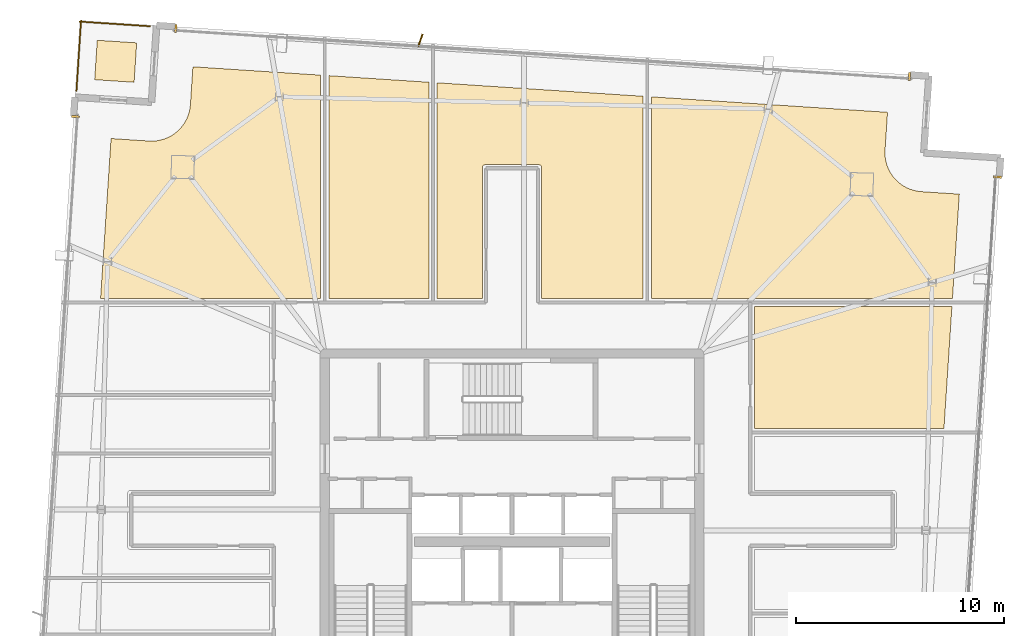
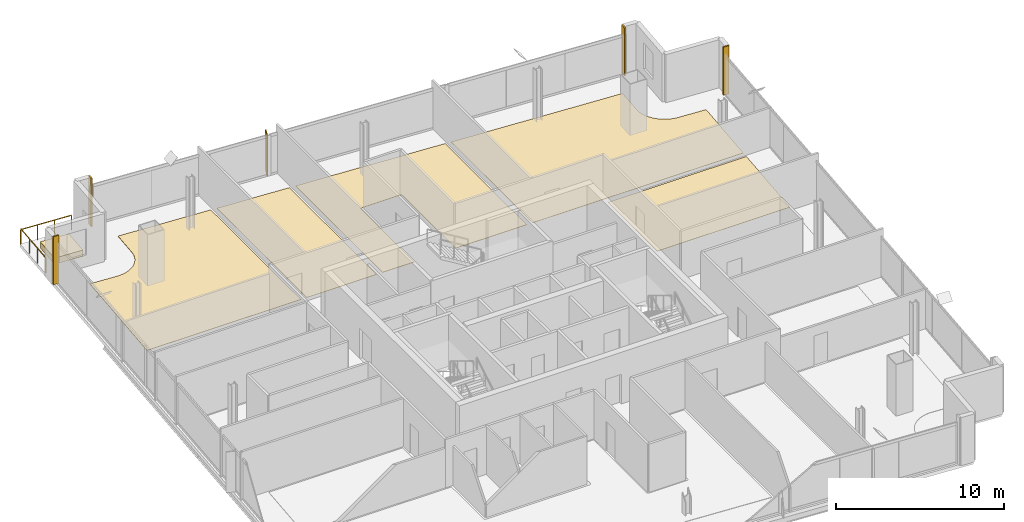
# One storey, part 24 of 24: 10 coverings, 2 railings, 1 shading device.
"""IFC4 building model written with IfcOpenShell, lengths in metres."""

import ifcopenshell
import ifcopenshell.guid

model = None  # the IFC model being written
_history = None  # IfcOwnerHistory: only IFC2X3 demands one
_inside = {}  # id of a spatial element -> (the spatial element, [elements in it])
_under = {}  # id of a project, library or spatial element -> (it, [spatial elements below it])
_declared = {}  # id of a project -> (the project, [libraries it declares])
_typed = {}  # id of a type object -> (the type object, [elements of that type])
_made_of = {}  # id of a material, layer set ... -> (it, [elements and type objects made of it])


def new_model(schema):
    """Start an empty IFC model of exactly this schema.

    Asked for "IFC4X3", IfcOpenShell would pick the latest addendum, in which some entities
    have other attributes; the version numbers below select the first issue.
    IFC2X3 requires an IfcOwnerHistory on every rooted entity: one is made here for all.
    """
    global model, _history
    if schema == "IFC4X3":
        model = ifcopenshell.file(schema_version=(4, 3, 0, 0))
    else:
        model = ifcopenshell.file(schema=schema)
    _inside.clear()
    _under.clear()
    _declared.clear()
    _typed.clear()
    _made_of.clear()
    _history = None
    if model.schema == "IFC2X3":
        org = make("IfcOrganization", Name="unknown")
        user = make(
            "IfcPersonAndOrganization",
            ThePerson=make("IfcPerson", FamilyName="unknown"),
            TheOrganization=org,
        )
        app = make(
            "IfcApplication",
            ApplicationDeveloper=org,
            Version="unknown",
            ApplicationFullName="unknown",
            ApplicationIdentifier="unknown",
        )
        _history = make(
            "IfcOwnerHistory",
            OwningUser=user,
            OwningApplication=app,
            ChangeAction="ADDED",
            CreationDate=0,
        )
    return model


def make(cls, **values):
    """One entity of the class cls with the attributes given. An attribute that is None is left unset."""
    return model.create_entity(
        cls, **{name: value for name, value in values.items() if value is not None}
    )


def rooted(cls, **values):
    """An entity with a GlobalId (a new one), such as an element, a storey or a relation."""
    return make(cls, GlobalId=ifcopenshell.guid.new(), OwnerHistory=_history, **values)


def si_unit(unit_type, name, prefix=None):
    """IfcSIUnit, for example si_unit("LENGTHUNIT", "METRE", prefix="MILLI")."""
    return make("IfcSIUnit", UnitType=unit_type, Prefix=prefix, Name=name)


def assignment(units):
    """IfcUnitAssignment: the units of a project."""
    return None if units is None else make("IfcUnitAssignment", Units=units)


def point(xyz):
    """IfcCartesianPoint."""
    return None if xyz is None else make("IfcCartesianPoint", Coordinates=xyz)


def direction(xyz):
    """IfcDirection."""
    return None if xyz is None else make("IfcDirection", DirectionRatios=xyz)


def frame(location, z_axis=None, x_axis=None):
    """IfcAxis2Placement3D, a coordinate frame: its origin and axes. An axis left out is left unset."""
    return make(
        "IfcAxis2Placement3D",
        Location=point(location),
        Axis=direction(z_axis),
        RefDirection=direction(x_axis),
    )


def frame_2d(location, x_axis=None):
    """IfcAxis2Placement2D, a coordinate frame in the plane: its origin and x axis."""
    return make(
        "IfcAxis2Placement2D", Location=point(location), RefDirection=direction(x_axis)
    )


def origin():
    """The frame at (0, 0, 0) with its axes left unset."""
    return frame((0.0, 0.0, 0.0))


def origin_2d():
    """The frame at (0, 0) in the plane with its x axis left unset."""
    return frame_2d((0.0, 0.0))


def place(relative_to, where):
    """IfcLocalPlacement: puts the frame where relative to a parent placement (None: the world)."""
    return make(
        "IfcLocalPlacement", PlacementRelTo=relative_to, RelativePlacement=where
    )


def context(
    kind, dimensions, precision=None, world=None, true_north=None, identifier=None
):
    """IfcGeometricRepresentationContext, for example the 3D "Model" context."""
    return make(
        "IfcGeometricRepresentationContext",
        ContextIdentifier=identifier,
        ContextType=kind,
        CoordinateSpaceDimension=dimensions,
        Precision=precision,
        WorldCoordinateSystem=world,
        TrueNorth=true_north,
    )


def subcontext(parent, identifier, kind, view, scale=None):
    """IfcGeometricRepresentationSubContext, for example "Body" below "Model"."""
    return make(
        "IfcGeometricRepresentationSubContext",
        ContextIdentifier=identifier,
        ContextType=kind,
        ParentContext=parent,
        TargetScale=scale,
        TargetView=view,
    )


def project(units=None, contexts=None):
    """IfcProject with its units and contexts."""
    return rooted(
        "IfcProject",
        Name="project",
        RepresentationContexts=contexts,
        UnitsInContext=assignment(units),
    )


def spatial(cls, under=None, at=None, **own):
    """A site, building, storey or space (cls), placed at a placement, below another one or the project."""
    s = rooted(cls, ObjectPlacement=at, **own)
    if under is not None:
        _under.setdefault(under.id(), (under, []))[1].append(s)
    return s


def polyline(points):
    """IfcPolyline through the points."""
    return make("IfcPolyline", Points=[point(p) for p in points])


def profile(cls, at=None, kind="AREA", **sizes):
    """A parametric profile (cls). Its sizes go by their IFC names, for example OverallWidth=200.0."""
    return make(cls, ProfileType=kind, Position=at, **sizes)


def rectangle(**sizes):
    """IfcRectangleProfileDef."""
    return profile("IfcRectangleProfileDef", **sizes)


def outline(outer, holes=None, kind="AREA"):
    """IfcArbitraryClosedProfileDef: a profile drawn as a closed curve; with holes, ...WithVoids."""
    if holes is None:
        return make("IfcArbitraryClosedProfileDef", ProfileType=kind, OuterCurve=outer)
    return make(
        "IfcArbitraryProfileDefWithVoids",
        ProfileType=kind,
        OuterCurve=outer,
        InnerCurves=holes,
    )


def extrude(swept, where, along, depth):
    """IfcExtrudedAreaSolid: the profile swept, set in the frame where, extruded along a direction by depth."""
    return make(
        "IfcExtrudedAreaSolid",
        SweptArea=swept,
        Position=where,
        ExtrudedDirection=direction(along),
        Depth=depth,
    )


def shape(context_of_items, identifier, shape_type, items):
    """IfcShapeRepresentation: the items that make up one representation, for example the "Body"."""
    return make(
        "IfcShapeRepresentation",
        ContextOfItems=context_of_items,
        RepresentationIdentifier=identifier,
        RepresentationType=shape_type,
        Items=items,
    )


def source(mapping_origin, context_of_items, identifier, shape_type, items):
    """IfcRepresentationMap: a shape defined once, which mapped items show again and again."""
    return make(
        "IfcRepresentationMap",
        MappingOrigin=mapping_origin,
        MappedRepresentation=shape(context_of_items, identifier, shape_type, items),
    )


def transform(
    local_origin,
    x_axis=None,
    y_axis=None,
    z_axis=None,
    scale=None,
    scale2=None,
    scale3=None,
    uniform=True,
):
    """IfcCartesianTransformationOperator3D, or its non-uniform kind. x_axis, y_axis, z_axis: its Axis1, 2, 3."""
    if uniform:
        return make(
            "IfcCartesianTransformationOperator3D",
            Axis1=direction(x_axis),
            Axis2=direction(y_axis),
            LocalOrigin=point(local_origin),
            Scale=scale,
            Axis3=direction(z_axis),
        )
    return make(
        "IfcCartesianTransformationOperator3DnonUniform",
        Axis1=direction(x_axis),
        Axis2=direction(y_axis),
        LocalOrigin=point(local_origin),
        Scale=scale,
        Axis3=direction(z_axis),
        Scale2=scale2,
        Scale3=scale3,
    )


def mapped(mapping_source, mapping_target):
    """IfcMappedItem: shows the shape of a source again, moved by a transform."""
    return make(
        "IfcMappedItem", MappingSource=mapping_source, MappingTarget=mapping_target
    )


def material(Name=None, Category=None):
    """IfcMaterial."""
    return make("IfcMaterial", Name=Name, Category=Category)


def layer(
    of_material, thickness, ventilated=None, Name=None, Category=None, Priority=None
):
    """IfcMaterialLayer: one layer of a wall or slab, of a material (None: an air gap)."""
    return make(
        "IfcMaterialLayer",
        Material=of_material,
        LayerThickness=thickness,
        IsVentilated=ventilated,
        Name=Name,
        Category=Category,
        Priority=Priority,
    )


def layer_set(layers, Name=None):
    """IfcMaterialLayerSet."""
    return make("IfcMaterialLayerSet", MaterialLayers=layers, LayerSetName=Name)


def made_of(thing, what):
    """Note that an element or type object is made of a material, layer set ...; save() writes the relation."""
    if what is not None:
        _made_of.setdefault(what.id(), (what, []))[1].append(thing)
    return thing


def type_object(cls, material=None, **own):
    """A type object (cls), such as IfcWallType, which elements share."""
    return made_of(rooted(cls, **own), material)


def element(
    cls,
    number,
    at=None,
    inside=None,
    cuts=None,
    type_object=None,
    material=None,
    context=None,
    identifier="Body",
    shape_type=None,
    held_by="IfcProductDefinitionShape",
    body=None,
    shapes=None,
    **own,
):
    """One element of the class cls, such as IfcWall. Its Tag is "e" and its number.

    at: its placement. inside: the storey or other place that contains it. cuts: it is an
    opening in that element (IfcRelVoidsElement). A single representation is given by context,
    identifier, shape_type and body (its items); several are given by shapes. held_by: the class
    of the entity that holds the representations. save() writes the other relations.
    """
    e = rooted(cls, Tag="e%d" % number, ObjectPlacement=at, **own)
    if body is not None:
        shapes = [shape(context, identifier, shape_type, body)]
    if shapes is not None:
        e.Representation = make(held_by, Representations=shapes)
    if inside is not None:
        _inside.setdefault(inside.id(), (inside, []))[1].append(e)
    if cuts is not None:
        rooted(
            "IfcRelVoidsElement", RelatingBuildingElement=cuts, RelatedOpeningElement=e
        )
    if type_object is not None:
        _typed.setdefault(type_object.id(), (type_object, []))[1].append(e)
    return made_of(e, material)


def aggregate(whole, parts):
    """IfcRelAggregates: a whole, such as a stair, and the parts it consists of."""
    return rooted("IfcRelAggregates", RelatingObject=whole, RelatedObjects=parts)


def save(model, path):
    """Write the relations noted so far, then the file.

    IfcRelAggregates (storeys below a building ...), IfcRelContainedInSpatialStructure (elements
    in a storey), IfcRelDefinesByType, IfcRelAssociatesMaterial and IfcRelDeclares: one each for
    every whole, place, type object, material and project.
    """
    for whole, parts in _under.values():
        aggregate(whole, parts)
    for where, things in _inside.values():
        rooted(
            "IfcRelContainedInSpatialStructure",
            RelatedElements=things,
            RelatingStructure=where,
        )
    for kind, things in _typed.values():
        rooted("IfcRelDefinesByType", RelatedObjects=things, RelatingType=kind)
    for what, things in _made_of.values():
        rooted("IfcRelAssociatesMaterial", RelatedObjects=things, RelatingMaterial=what)
    for by, libraries in _declared.values():
        rooted("IfcRelDeclares", RelatingContext=by, RelatedDefinitions=libraries)
    model.write(path)


model = new_model("IFC4")

# Units and contexts
model_context = context("Model", 3, precision=1e-05, world=origin(), true_north=direction((0.0, 1.0)))
body_context = subcontext(model_context, "Body", "Model", "MODEL_VIEW")
ifc_project = project(units=[si_unit("LENGTHUNIT", "METRE"), si_unit("AREAUNIT", "SQUARE_METRE"), si_unit("VOLUMEUNIT", "CUBIC_METRE"), si_unit("PLANEANGLEUNIT", "RADIAN"), si_unit("MASSUNIT", "GRAM", prefix="KILO")], contexts=[model_context])

# Site, building, storey
site_placement = place(None, origin())
site = spatial("IfcSite", under=ifc_project, at=site_placement, CompositionType="ELEMENT")
building_placement = place(site_placement, origin())
building = spatial("IfcBuilding", under=site, at=building_placement, Name="Haldenkirk Collegiate Tower", CompositionType="ELEMENT")
storey_placement = place(building_placement, frame((0.0, 0.0, 317.699951171875)))
storey = spatial("IfcBuildingStorey", under=building, at=storey_placement, Name="L80", CompositionType="ELEMENT", Elevation=317.699951171875)

# Coverings
ifc_material_1 = material(Name="Polished collegiate terrazzo", Category="concrete")
ifc_layer_1 = layer(ifc_material_1, 0.02490234375)
ifc_layer_set_1 = layer_set([ifc_layer_1], Name="Polished collegiate terrazzo")
covering_type_1 = type_object("IfcCoveringType", Name="COV-FLOOR-TERRAZZO", PredefinedType="FLOORING", material=ifc_layer_set_1)
covering_1_placement = place(storey_placement, origin())
element("IfcCovering", 1, at=covering_1_placement, inside=storey, type_object=covering_type_1, Name="L80 academic room finish 04", PredefinedType="FLOORING", context=body_context, shape_type="SweptSolid", body=[
    extrude(outline(polyline([(18.553466796875, 44.2099609375), (18.559326171875, 44.209716796875), (18.731201171875, 44.206787109375), (18.7431640625, 44.207275390625), (18.914306640625, 44.221435546875), (18.92578125, 44.222900390625), (19.0947265625, 44.253662109375), (19.106201171875, 44.25634765625), (19.271484375, 44.303466796875), (19.282470703125, 44.307373046875), (19.442138671875, 44.370361328125), (19.452880859375, 44.375244140625), (19.605712890625, 44.453857421875), (19.615966796875, 44.459716796875), (19.76025390625, 44.552490234375), (19.769775390625, 44.5595703125), (19.904296875, 44.666259765625), (19.9130859375, 44.674072265625), (20.03662109375, 44.79345703125), (20.044677734375, 44.802001953125), (20.15576171875, 44.93310546875), (20.1630859375, 44.9423828125), (20.2607421875, 45.08349609375), (20.266845703125, 45.093505859375), (20.350341796875, 45.24365234375), (20.35546875, 45.25439453125), (20.423828125, 45.411865234375), (20.427978515625, 45.4228515625), (20.48046875, 45.586181640625), (20.483642578125, 45.597900390625), (20.519775390625, 45.765625), (20.521728515625, 45.777099609375), (20.54150390625, 45.94775390625), (20.5419921875, 45.95361328125), (20.66162109375, 47.77978515625), (26.800048828125, 47.37744140625), (26.800048828125, 36.64990234375), (16.22412109375, 36.64990234375), (16.7275390625, 44.32958984375), (18.553466796875, 44.2099609375)])), origin(), (0.0, 0.0, 1.0), 0.025146484375),
])
covering_2_placement = place(storey_placement, origin())
element("IfcCovering", 2, at=covering_2_placement, inside=storey, type_object=covering_type_1, Name="L80 academic room finish 06", PredefinedType="FLOORING", context=body_context, shape_type="SweptSolid", body=[
    extrude(outline(polyline([(42.300048828125, 46.361572265625), (42.300048828125, 36.64990234375), (37.419921875, 36.64990234375), (37.419921875, 42.949951171875), (37.41943359375, 42.9619140625), (37.417724609375, 42.973388671875), (37.414794921875, 42.98486328125), (37.410888671875, 42.995849609375), (37.40576171875, 43.006591796875), (37.39990234375, 43.0166015625), (37.392822265625, 43.026123046875), (37.385009765625, 43.034912109375), (37.376220703125, 43.042724609375), (37.36669921875, 43.0498046875), (37.356689453125, 43.055908203125), (37.345947265625, 43.060791015625), (37.334716796875, 43.064697265625), (37.323486328125, 43.067626953125), (37.311767578125, 43.0693359375), (37.300048828125, 43.070068359375), (34.699951171875, 43.070068359375), (34.688232421875, 43.0693359375), (34.676513671875, 43.067626953125), (34.665283203125, 43.064697265625), (34.654052734375, 43.060791015625), (34.643310546875, 43.055908203125), (34.63330078125, 43.0498046875), (34.623779296875, 43.042724609375), (34.614990234375, 43.034912109375), (34.607177734375, 43.026123046875), (34.60009765625, 43.0166015625), (34.59423828125, 43.006591796875), (34.589111328125, 42.995849609375), (34.585205078125, 42.98486328125), (34.582275390625, 42.973388671875), (34.58056640625, 42.9619140625), (34.580078125, 42.949951171875), (34.580078125, 36.64990234375), (32.39990234375, 36.64990234375), (32.39990234375, 47.010498046875), (42.300048828125, 46.361572265625)])), origin(), (0.0, 0.0, 1.0), 0.025146484375),
])
ifc_material_2 = material(Name="Engineered collegiate oak acoustic flooring", Category="wood")
ifc_layer_2 = layer(ifc_material_2, 0.02197265625)
ifc_layer_set_2 = layer_set([ifc_layer_2], Name="Engineered collegiate oak acoustic flooring")
covering_type_2 = type_object("IfcCoveringType", Name="COV-FLOOR-TIMBER", PredefinedType="FLOORING", material=ifc_layer_set_2)
covering_3_placement = place(storey_placement, origin())
element("IfcCovering", 3, at=covering_3_placement, inside=storey, type_object=covering_type_2, Name="L80 academic room finish 05", PredefinedType="FLOORING", context=body_context, shape_type="SweptSolid", body=[
    extrude(outline(polyline([(32.0, 47.03662109375), (32.0, 36.64990234375), (27.199951171875, 36.64990234375), (27.199951171875, 47.351318359375), (32.0, 47.03662109375)])), origin(), (0.0, 0.0, 1.0), 0.02197265625),
])
covering_4_placement = place(storey_placement, origin())
element("IfcCovering", 4, at=covering_4_placement, inside=storey, type_object=covering_type_2, Name="L80 academic room finish 07", PredefinedType="FLOORING", context=body_context, shape_type="SweptSolid", body=[
    extrude(outline(polyline([(54.050048828125, 45.59130859375), (53.930419921875, 43.765380859375), (53.929931640625, 43.759521484375), (53.92724609375, 43.587646484375), (53.927490234375, 43.57568359375), (53.941650390625, 43.40478515625), (53.943115234375, 43.393310546875), (53.973876953125, 43.22412109375), (53.9765625, 43.212646484375), (54.023681640625, 43.047607421875), (54.027587890625, 43.036376953125), (54.0908203125, 42.876708984375), (54.095703125, 42.865966796875), (54.174072265625, 42.713134765625), (54.179931640625, 42.702880859375), (54.27294921875, 42.55859375), (54.27978515625, 42.549072265625), (54.38671875, 42.41455078125), (54.394287109375, 42.40576171875), (54.513916015625, 42.2822265625), (54.5224609375, 42.274169921875), (54.6533203125, 42.1630859375), (54.66259765625, 42.156005859375), (54.803955078125, 42.05810546875), (54.81396484375, 42.052001953125), (54.964111328125, 41.968505859375), (54.974609375, 41.96337890625), (55.132080078125, 41.89501953125), (55.14306640625, 41.89111328125), (55.306640625, 41.83837890625), (55.318115234375, 41.835205078125), (55.48583984375, 41.799072265625), (55.497314453125, 41.797119140625), (55.66796875, 41.777587890625), (55.674072265625, 41.777099609375), (57.5, 41.6572265625), (57.171875, 36.64990234375), (42.699951171875, 36.64990234375), (42.699951171875, 46.335205078125), (54.050048828125, 45.59130859375)])), origin(), (0.0, 0.0, 1.0), 0.02197265625),
])
covering_5_placement = place(storey_placement, origin())
element("IfcCovering", 5, at=covering_5_placement, inside=storey, type_object=covering_type_2, Name="L80 academic room finish 15", PredefinedType="FLOORING", context=body_context, shape_type="SweptSolid", body=[
    extrude(outline(polyline([(56.76220703125, 30.39990234375), (47.64990234375, 30.39990234375), (47.64990234375, 36.25), (57.145751953125, 36.25), (56.76220703125, 30.39990234375)])), origin(), (0.0, 0.0, 1.0), 0.02197265625),
])
ifc_material_3 = material(Name="Precast concrete f'c 40 MPa", Category="concrete")
ifc_layer_3 = layer(ifc_material_3, 0.449951171875)
ifc_layer_set_3 = layer_set([ifc_layer_3], Name="Precast concrete f'c 40 MPa")
covering_type_3 = type_object("IfcCoveringType", Name="COV-PLANTER-450", PredefinedType="USERDEFINED", material=ifc_layer_set_3)
covering_6_placement = place(storey_placement, origin())
element("IfcCovering", 6, at=covering_6_placement, inside=storey, type_object=covering_type_3, Name="L80 planted garden planter bed", ObjectType="PLANTER", PredefinedType="USERDEFINED", context=body_context, shape_type="SweptSolid", body=[
    extrude(outline(polyline([(17.836669921875, 47.032958984375), (15.94091796875, 47.1572265625), (16.065185546875, 49.05322265625), (17.9609375, 48.928955078125), (17.836669921875, 47.032958984375)])), origin(), (0.0, 0.0, 1.0), 0.449951171875),
])

# Railings
ifc_material_4 = material(Name="Anodised architectural bronze aluminium", Category="aluminium")
railing_type = type_object("IfcRailingType", Name="RLG-TERR-BALUSTRADE-1100", PredefinedType="BALUSTRADE", material=ifc_material_4)
railing_1_placement = place(storey_placement, frame((18.5947265625, 49.729248046875, 0.0)))
element("IfcRailing", 7, at=railing_1_placement, inside=storey, type_object=railing_type, Name="L80 terrace guard balustrade 2-1", PredefinedType="BALUSTRADE", context=body_context, shape_type="SweptSolid", body=[
    extrude(rectangle(XDim=0.048095703125, YDim=0.048095703125, at=origin_2d()), frame((0.0, 0.0, 1.076171875), z_axis=(-0.997861199194, 0.065368395604, 0.0), x_axis=(-0.065368395604, -0.997861199194, 0.0)), (0.0, 0.0, 1.0), 3.380126953125),
    extrude(rectangle(XDim=0.0419921875, YDim=0.0419921875, at=origin_2d()), origin(), (0.0, 0.0, 1.0), 1.052001953125),
    extrude(rectangle(XDim=0.0419921875, YDim=0.0419921875, at=origin_2d()), frame((-1.124267578125, 0.07373046875, 0.0)), (0.0, 0.0, 1.0), 1.052001953125),
    extrude(rectangle(XDim=0.0419921875, YDim=0.0419921875, at=origin_2d()), frame((-2.24853515625, 0.147216796875, 0.0)), (0.0, 0.0, 1.0), 1.052001953125),
    extrude(rectangle(XDim=0.0419921875, YDim=0.0419921875, at=origin_2d()), frame((-3.372802734375, 0.220947265625, 0.0)), (0.0, 0.0, 1.0), 1.052001953125),
])
railing_2_placement = place(storey_placement, frame((15.285888671875, 50.006103515625, 0.0)))
element("IfcRailing", 8, at=railing_2_placement, inside=storey, type_object=railing_type, Name="L80 terrace guard balustrade 3-1", PredefinedType="BALUSTRADE", context=body_context, shape_type="SweptSolid", body=[
    extrude(rectangle(XDim=0.048095703125, YDim=0.048095703125, at=origin_2d()), frame((0.0, 0.0, 1.076171875), z_axis=(-0.065440316724, -0.997856485146, 0.0), x_axis=(0.997856485146, -0.065440316724, 0.0)), (0.0, 0.0, 1.0), 3.380126953125),
    extrude(rectangle(XDim=0.0419921875, YDim=0.0419921875, at=origin_2d()), origin(), (0.0, 0.0, 1.0), 1.052001953125),
    extrude(rectangle(XDim=0.0419921875, YDim=0.0419921875, at=origin_2d()), frame((-0.07373046875, -1.124267578125, 0.0)), (0.0, 0.0, 1.0), 1.052001953125),
    extrude(rectangle(XDim=0.0419921875, YDim=0.0419921875, at=origin_2d()), frame((-0.1474609375, -2.24853515625, 0.0)), (0.0, 0.0, 1.0), 1.052001953125),
    extrude(rectangle(XDim=0.0419921875, YDim=0.0419921875, at=origin_2d()), frame((-0.22119140625, -3.372802734375, 0.0)), (0.0, 0.0, 1.0), 1.052001953125),
])

# Coverings
ifc_layer_4 = layer(ifc_material_4, 0.06005859375)
ifc_layer_set_4 = layer_set([ifc_layer_4], Name="Anodised architectural bronze aluminium")
covering_type_4 = type_object("IfcCoveringType", Name="COV-CLAD-BRONZE-60", PredefinedType="CLADDING", material=ifc_layer_set_4)
shared_shape_1 = source(origin(), body_context, "Body", "SweptSolid", [
    extrude(rectangle(XDim=0.10009765625, YDim=0.3798828125, at=origin_2d()), origin(), (0.0, 0.0, 1.0), 3.489990234375),
])
for number, where, z_axis, x_axis, name in (
    (9, (59.337646484375, 42.47900390625, 0.0), (0.0, 0.0, 1.0), (-0.06540312923, -0.997858923239, 0.0), "L80 recessed curtain-wall bronze jamb closure SJL"),
    (10, (19.840087890625, 49.617431640625, 0.0), (0.0, 0.0, 1.0), (0.997858923239, -0.06540312923, 0.0), "L80 recessed curtain-wall bronze jamb closure EJL"),
    (11, (55.1044921875, 47.30615234375, 0.0), (0.0, 0.0, 1.0), (0.997858923239, -0.06540312923, 0.0), "L80 recessed curtain-wall bronze jamb closure EJR"),
    (12, (15.0126953125, 45.384033203125, 0.0), (0.0, 0.0, 1.0), (0.06540312923, 0.997858923239, 0.0), "L80 recessed curtain-wall bronze jamb closure NJR"),
):
    element("IfcCovering", number, at=place(storey_placement, frame(where, z_axis=z_axis, x_axis=x_axis)), inside=storey, type_object=covering_type_4, Name=name, PredefinedType="CLADDING", context=body_context, shape_type="MappedRepresentation", body=[
        mapped(shared_shape_1, transform((0.0, 0.0, 0.0), x_axis=(1.0, 0.0, 0.0), y_axis=(0.0, 1.0, 0.0), z_axis=(0.0, 0.0, 1.0), scale=1.0)),
    ])

# Shading device
ifc_layer_5 = layer(ifc_material_4, 0.06494140625)
ifc_layer_set_5 = layer_set([ifc_layer_5], Name="Anodised architectural bronze aluminium")
shading_device_type = type_object("IfcShadingDeviceType", Name="SHD-FIN-BRONZE-620", PredefinedType="USERDEFINED", material=ifc_layer_set_5)
shared_shape_2 = source(origin(), body_context, "Body", "SweptSolid", [
    extrude(rectangle(XDim=0.6201171875, YDim=0.06494140625, at=origin_2d()), origin(), (0.0, 0.0, 1.0), 2.947998046875),
])
shading_device_placement = place(storey_placement, frame((31.59814453125, 49.05224609375, 0.0), z_axis=(0.0, 0.0, 1.0), x_axis=(0.337916718003, 0.941176015256, 0.0)))
element("IfcShadingDevice", 13, at=shading_device_placement, inside=storey, type_object=shading_device_type, Name="L80 folded bronze solar fin 1", ObjectType="FIN", PredefinedType="USERDEFINED", context=body_context, shape_type="MappedRepresentation", body=[
    mapped(shared_shape_2, transform((0.0, 0.0, 0.0), x_axis=(1.0, 0.0, 0.0), y_axis=(0.0, 1.0, 0.0), z_axis=(0.0, 0.0, 1.0), scale=1.0)),
])

save(model, "model.ifc")
